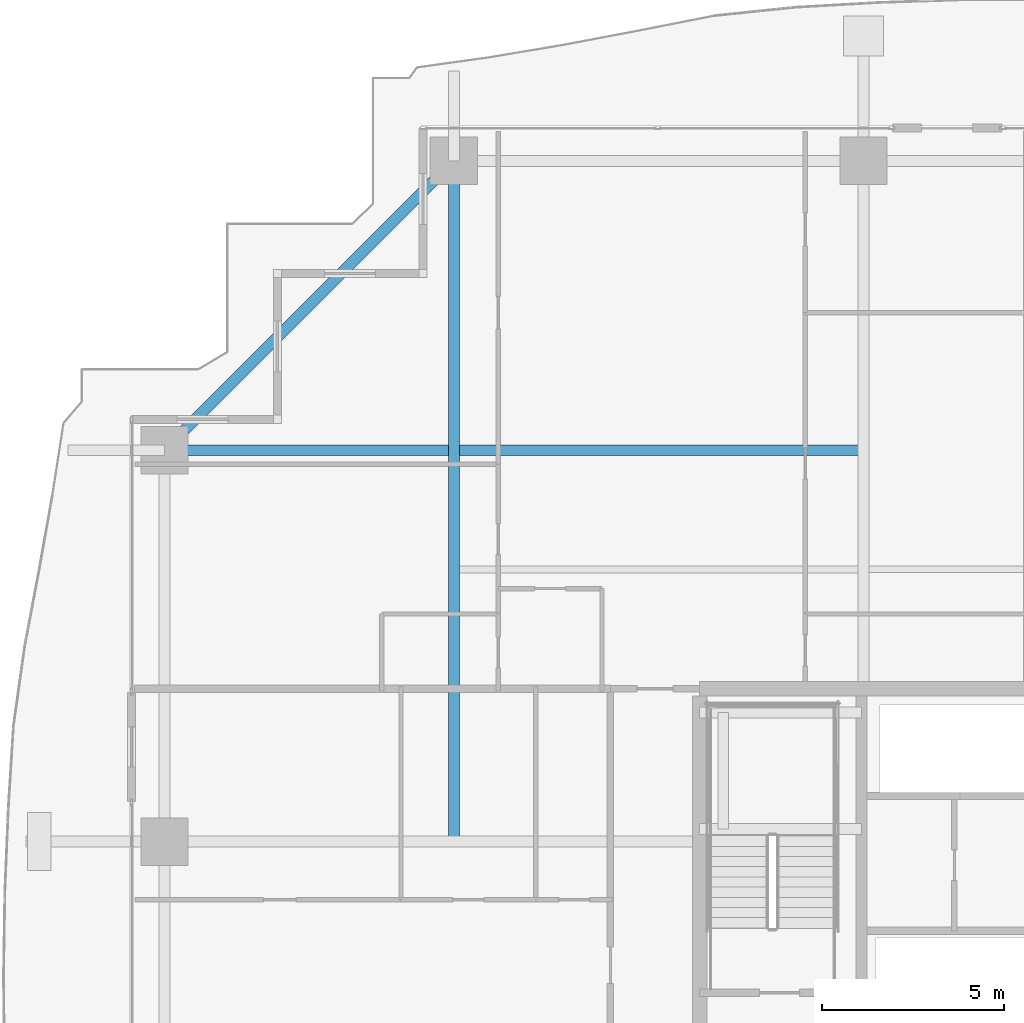
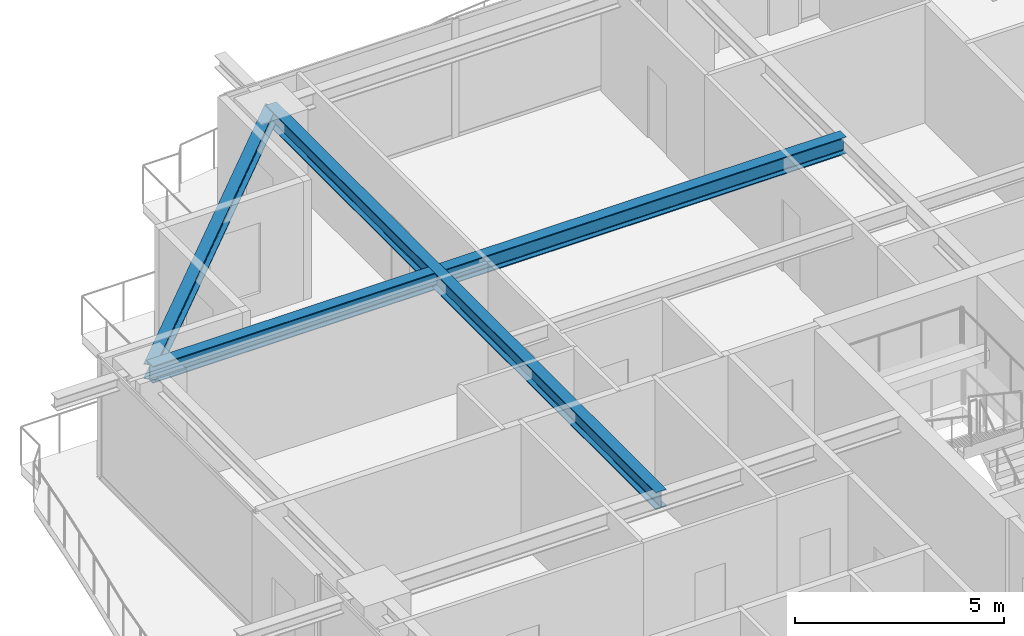
# One storey, part 18 of 38: 3 beams.
"""IFC4 building model written with IfcOpenShell, lengths in metres."""

import ifcopenshell
import ifcopenshell.guid

model = None  # the IFC model being written
_history = None  # IfcOwnerHistory: only IFC2X3 demands one
_inside = {}  # id of a spatial element -> (the spatial element, [elements in it])
_under = {}  # id of a project, library or spatial element -> (it, [spatial elements below it])
_declared = {}  # id of a project -> (the project, [libraries it declares])
_typed = {}  # id of a type object -> (the type object, [elements of that type])
_made_of = {}  # id of a material, layer set ... -> (it, [elements and type objects made of it])


def new_model(schema):
    """Start an empty IFC model of exactly this schema.

    Asked for "IFC4X3", IfcOpenShell would pick the latest addendum, in which some entities
    have other attributes; the version numbers below select the first issue.
    IFC2X3 requires an IfcOwnerHistory on every rooted entity: one is made here for all.
    """
    global model, _history
    if schema == "IFC4X3":
        model = ifcopenshell.file(schema_version=(4, 3, 0, 0))
    else:
        model = ifcopenshell.file(schema=schema)
    _inside.clear()
    _under.clear()
    _declared.clear()
    _typed.clear()
    _made_of.clear()
    _history = None
    if model.schema == "IFC2X3":
        org = make("IfcOrganization", Name="unknown")
        user = make(
            "IfcPersonAndOrganization",
            ThePerson=make("IfcPerson", FamilyName="unknown"),
            TheOrganization=org,
        )
        app = make(
            "IfcApplication",
            ApplicationDeveloper=org,
            Version="unknown",
            ApplicationFullName="unknown",
            ApplicationIdentifier="unknown",
        )
        _history = make(
            "IfcOwnerHistory",
            OwningUser=user,
            OwningApplication=app,
            ChangeAction="ADDED",
            CreationDate=0,
        )
    return model


def make(cls, **values):
    """One entity of the class cls with the attributes given. An attribute that is None is left unset."""
    return model.create_entity(
        cls, **{name: value for name, value in values.items() if value is not None}
    )


def rooted(cls, **values):
    """An entity with a GlobalId (a new one), such as an element, a storey or a relation."""
    return make(cls, GlobalId=ifcopenshell.guid.new(), OwnerHistory=_history, **values)


def si_unit(unit_type, name, prefix=None):
    """IfcSIUnit, for example si_unit("LENGTHUNIT", "METRE", prefix="MILLI")."""
    return make("IfcSIUnit", UnitType=unit_type, Prefix=prefix, Name=name)


def assignment(units):
    """IfcUnitAssignment: the units of a project."""
    return None if units is None else make("IfcUnitAssignment", Units=units)


def point(xyz):
    """IfcCartesianPoint."""
    return None if xyz is None else make("IfcCartesianPoint", Coordinates=xyz)


def direction(xyz):
    """IfcDirection."""
    return None if xyz is None else make("IfcDirection", DirectionRatios=xyz)


def frame(location, z_axis=None, x_axis=None):
    """IfcAxis2Placement3D, a coordinate frame: its origin and axes. An axis left out is left unset."""
    return make(
        "IfcAxis2Placement3D",
        Location=point(location),
        Axis=direction(z_axis),
        RefDirection=direction(x_axis),
    )


def frame_2d(location, x_axis=None):
    """IfcAxis2Placement2D, a coordinate frame in the plane: its origin and x axis."""
    return make(
        "IfcAxis2Placement2D", Location=point(location), RefDirection=direction(x_axis)
    )


def origin():
    """The frame at (0, 0, 0) with its axes left unset."""
    return frame((0.0, 0.0, 0.0))


def origin_2d():
    """The frame at (0, 0) in the plane with its x axis left unset."""
    return frame_2d((0.0, 0.0))


def place(relative_to, where):
    """IfcLocalPlacement: puts the frame where relative to a parent placement (None: the world)."""
    return make(
        "IfcLocalPlacement", PlacementRelTo=relative_to, RelativePlacement=where
    )


def context(
    kind, dimensions, precision=None, world=None, true_north=None, identifier=None
):
    """IfcGeometricRepresentationContext, for example the 3D "Model" context."""
    return make(
        "IfcGeometricRepresentationContext",
        ContextIdentifier=identifier,
        ContextType=kind,
        CoordinateSpaceDimension=dimensions,
        Precision=precision,
        WorldCoordinateSystem=world,
        TrueNorth=true_north,
    )


def subcontext(parent, identifier, kind, view, scale=None):
    """IfcGeometricRepresentationSubContext, for example "Body" below "Model"."""
    return make(
        "IfcGeometricRepresentationSubContext",
        ContextIdentifier=identifier,
        ContextType=kind,
        ParentContext=parent,
        TargetScale=scale,
        TargetView=view,
    )


def project(units=None, contexts=None):
    """IfcProject with its units and contexts."""
    return rooted(
        "IfcProject",
        Name="project",
        RepresentationContexts=contexts,
        UnitsInContext=assignment(units),
    )


def spatial(cls, under=None, at=None, **own):
    """A site, building, storey or space (cls), placed at a placement, below another one or the project."""
    s = rooted(cls, ObjectPlacement=at, **own)
    if under is not None:
        _under.setdefault(under.id(), (under, []))[1].append(s)
    return s


def profile(cls, at=None, kind="AREA", **sizes):
    """A parametric profile (cls). Its sizes go by their IFC names, for example OverallWidth=200.0."""
    return make(cls, ProfileType=kind, Position=at, **sizes)


def i_section(**sizes):
    """IfcIShapeProfileDef."""
    return profile("IfcIShapeProfileDef", **sizes)


def extrude(swept, where, along, depth):
    """IfcExtrudedAreaSolid: the profile swept, set in the frame where, extruded along a direction by depth."""
    return make(
        "IfcExtrudedAreaSolid",
        SweptArea=swept,
        Position=where,
        ExtrudedDirection=direction(along),
        Depth=depth,
    )


def shape(context_of_items, identifier, shape_type, items):
    """IfcShapeRepresentation: the items that make up one representation, for example the "Body"."""
    return make(
        "IfcShapeRepresentation",
        ContextOfItems=context_of_items,
        RepresentationIdentifier=identifier,
        RepresentationType=shape_type,
        Items=items,
    )


def source(mapping_origin, context_of_items, identifier, shape_type, items):
    """IfcRepresentationMap: a shape defined once, which mapped items show again and again."""
    return make(
        "IfcRepresentationMap",
        MappingOrigin=mapping_origin,
        MappedRepresentation=shape(context_of_items, identifier, shape_type, items),
    )


def transform(
    local_origin,
    x_axis=None,
    y_axis=None,
    z_axis=None,
    scale=None,
    scale2=None,
    scale3=None,
    uniform=True,
):
    """IfcCartesianTransformationOperator3D, or its non-uniform kind. x_axis, y_axis, z_axis: its Axis1, 2, 3."""
    if uniform:
        return make(
            "IfcCartesianTransformationOperator3D",
            Axis1=direction(x_axis),
            Axis2=direction(y_axis),
            LocalOrigin=point(local_origin),
            Scale=scale,
            Axis3=direction(z_axis),
        )
    return make(
        "IfcCartesianTransformationOperator3DnonUniform",
        Axis1=direction(x_axis),
        Axis2=direction(y_axis),
        LocalOrigin=point(local_origin),
        Scale=scale,
        Axis3=direction(z_axis),
        Scale2=scale2,
        Scale3=scale3,
    )


def mapped(mapping_source, mapping_target):
    """IfcMappedItem: shows the shape of a source again, moved by a transform."""
    return make(
        "IfcMappedItem", MappingSource=mapping_source, MappingTarget=mapping_target
    )


def material(Name=None, Category=None):
    """IfcMaterial."""
    return make("IfcMaterial", Name=Name, Category=Category)


def material_profile(
    of_material, cross_section, Name=None, Category=None, Priority=None
):
    """IfcMaterialProfile: a cross section and its material."""
    return make(
        "IfcMaterialProfile",
        Name=Name,
        Material=of_material,
        Profile=cross_section,
        Priority=Priority,
        Category=Category,
    )


def profile_set(profiles, Name=None, composite=None):
    """IfcMaterialProfileSet."""
    return make(
        "IfcMaterialProfileSet",
        Name=Name,
        MaterialProfiles=profiles,
        CompositeProfile=composite,
    )


def made_of(thing, what):
    """Note that an element or type object is made of a material, layer set ...; save() writes the relation."""
    if what is not None:
        _made_of.setdefault(what.id(), (what, []))[1].append(thing)
    return thing


def type_object(cls, material=None, **own):
    """A type object (cls), such as IfcWallType, which elements share."""
    return made_of(rooted(cls, **own), material)


def element(
    cls,
    number,
    at=None,
    inside=None,
    cuts=None,
    type_object=None,
    material=None,
    context=None,
    identifier="Body",
    shape_type=None,
    held_by="IfcProductDefinitionShape",
    body=None,
    shapes=None,
    **own,
):
    """One element of the class cls, such as IfcWall. Its Tag is "e" and its number.

    at: its placement. inside: the storey or other place that contains it. cuts: it is an
    opening in that element (IfcRelVoidsElement). A single representation is given by context,
    identifier, shape_type and body (its items); several are given by shapes. held_by: the class
    of the entity that holds the representations. save() writes the other relations.
    """
    e = rooted(cls, Tag="e%d" % number, ObjectPlacement=at, **own)
    if body is not None:
        shapes = [shape(context, identifier, shape_type, body)]
    if shapes is not None:
        e.Representation = make(held_by, Representations=shapes)
    if inside is not None:
        _inside.setdefault(inside.id(), (inside, []))[1].append(e)
    if cuts is not None:
        rooted(
            "IfcRelVoidsElement", RelatingBuildingElement=cuts, RelatedOpeningElement=e
        )
    if type_object is not None:
        _typed.setdefault(type_object.id(), (type_object, []))[1].append(e)
    return made_of(e, material)


def aggregate(whole, parts):
    """IfcRelAggregates: a whole, such as a stair, and the parts it consists of."""
    return rooted("IfcRelAggregates", RelatingObject=whole, RelatedObjects=parts)


def save(model, path):
    """Write the relations noted so far, then the file.

    IfcRelAggregates (storeys below a building ...), IfcRelContainedInSpatialStructure (elements
    in a storey), IfcRelDefinesByType, IfcRelAssociatesMaterial and IfcRelDeclares: one each for
    every whole, place, type object, material and project.
    """
    for whole, parts in _under.values():
        aggregate(whole, parts)
    for where, things in _inside.values():
        rooted(
            "IfcRelContainedInSpatialStructure",
            RelatedElements=things,
            RelatingStructure=where,
        )
    for kind, things in _typed.values():
        rooted("IfcRelDefinesByType", RelatedObjects=things, RelatingType=kind)
    for what, things in _made_of.values():
        rooted("IfcRelAssociatesMaterial", RelatedObjects=things, RelatingMaterial=what)
    for by, libraries in _declared.values():
        rooted("IfcRelDeclares", RelatingContext=by, RelatedDefinitions=libraries)
    model.write(path)


model = new_model("IFC4")

# Units and contexts
model_context = context("Model", 3, precision=1e-05, world=origin(), true_north=direction((0.0, 1.0)))
body_context = subcontext(model_context, "Body", "Model", "MODEL_VIEW")
ifc_project = project(units=[si_unit("LENGTHUNIT", "METRE"), si_unit("AREAUNIT", "SQUARE_METRE"), si_unit("VOLUMEUNIT", "CUBIC_METRE"), si_unit("PLANEANGLEUNIT", "RADIAN"), si_unit("MASSUNIT", "GRAM", prefix="KILO")], contexts=[model_context])

# Site, building, storey
site_placement = place(None, origin())
site = spatial("IfcSite", under=ifc_project, at=site_placement, CompositionType="ELEMENT")
building_placement = place(site_placement, origin())
building = spatial("IfcBuilding", under=site, at=building_placement, Name="Serunith Strait Residences", CompositionType="ELEMENT")
storey_placement = place(building_placement, frame((0.0, 0.0, 120.14990234375)))
storey = spatial("IfcBuildingStorey", under=building, at=storey_placement, Name="L29", CompositionType="ELEMENT", Elevation=120.14990234375)

# Beams
ifc_material = material(Name="Steel S355J2", Category="steel")
ifc_material_profile_1 = material_profile(ifc_material, i_section(OverallWidth=0.300048828125, OverallDepth=0.5, WebThickness=0.014404296875, FlangeThickness=0.028076171875, FilletRadius=0.027099609375, at=origin_2d()), Name="HEB 500")
ifc_profile_set_1 = profile_set([ifc_material_profile_1], Name="Steel S355J2")
beam_type_1 = type_object("IfcBeamType", Name="BM-HEB500", PredefinedType="BEAM", material=ifc_profile_set_1)
shared_shape_1 = source(origin(), body_context, "Body", "SweptSolid", [
    extrude(i_section(OverallWidth=0.300048828125, OverallDepth=0.5, WebThickness=0.014404296875, FlangeThickness=0.028076171875, FilletRadius=0.027099609375, at=origin_2d()), origin(), (0.0, 0.0, 1.0), 18.7001953125),
])
beam_1_placement = place(storey_placement, frame((16.64990234375, 29.39990234375, 3.237060546875), z_axis=(0.0, 1.0, 0.0), x_axis=(-1.0, 0.0, 0.0)))
element("IfcBeam", 1, at=beam_1_placement, inside=storey, type_object=beam_type_1, Name="L29 Orthogonal Corner Girder TC-N1", PredefinedType="BEAM", context=body_context, shape_type="MappedRepresentation", body=[
    mapped(shared_shape_1, transform((0.0, 0.0, 0.0), scale=1.0)),
])
shared_shape_2 = source(origin(), body_context, "Body", "SweptSolid", [
    extrude(i_section(OverallWidth=0.300048828125, OverallDepth=0.5, WebThickness=0.014404296875, FlangeThickness=0.028076171875, FilletRadius=0.027099609375, at=origin_2d()), origin(), (0.0, 0.0, 1.0), 19.199951171875),
])
beam_2_placement = place(storey_placement, frame((27.89990234375, 40.14990234375, 3.237060546875), z_axis=(-1.0, 0.0, 0.0), x_axis=(0.0, -1.0, 0.0)))
element("IfcBeam", 2, at=beam_2_placement, inside=storey, type_object=beam_type_1, Name="L29 Orthogonal Corner Girder TC-W4", PredefinedType="BEAM", context=body_context, shape_type="MappedRepresentation", body=[
    mapped(shared_shape_2, transform((0.0, 0.0, 0.0), scale=1.0)),
])
ifc_material_profile_2 = material_profile(ifc_material, i_section(OverallWidth=0.300048828125, OverallDepth=0.449951171875, WebThickness=0.013916015625, FlangeThickness=0.02587890625, FilletRadius=0.027099609375, at=origin_2d()), Name="HEB 450")
ifc_profile_set_2 = profile_set([ifc_material_profile_2], Name="Steel S355J2")
beam_type_2 = type_object("IfcBeamType", Name="BM-HEB450", PredefinedType="BEAM", material=ifc_profile_set_2)
shared_shape_3 = source(origin(), body_context, "Body", "SweptSolid", [
    extrude(i_section(OverallWidth=0.300048828125, OverallDepth=0.449951171875, WebThickness=0.013916015625, FlangeThickness=0.02587890625, FilletRadius=0.027099609375, at=origin_2d()), origin(), (0.0, 0.0, 1.0), 11.2431640625),
])
beam_3_placement = place(storey_placement, frame((16.64990234375, 48.10009765625, 3.232177734375), z_axis=(-0.707095923751, -0.707117638455, 0.0), x_axis=(0.707117638455, -0.707095923751, 0.0)))
element("IfcBeam", 3, at=beam_3_placement, inside=storey, type_object=beam_type_2, Name="L29 Perimeter Ring Beam 12", PredefinedType="BEAM", context=body_context, shape_type="MappedRepresentation", body=[
    mapped(shared_shape_3, transform((0.0, 0.0, 0.0), scale=1.0)),
])

save(model, "model.ifc")
